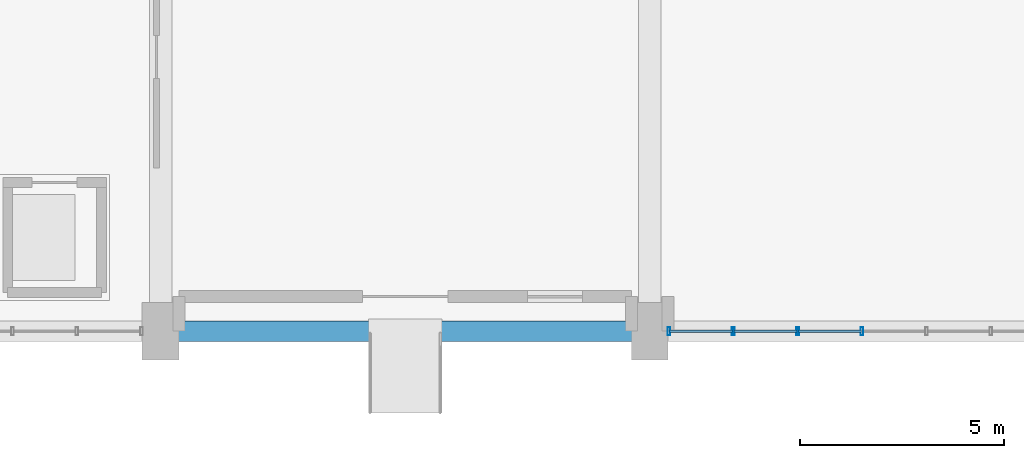
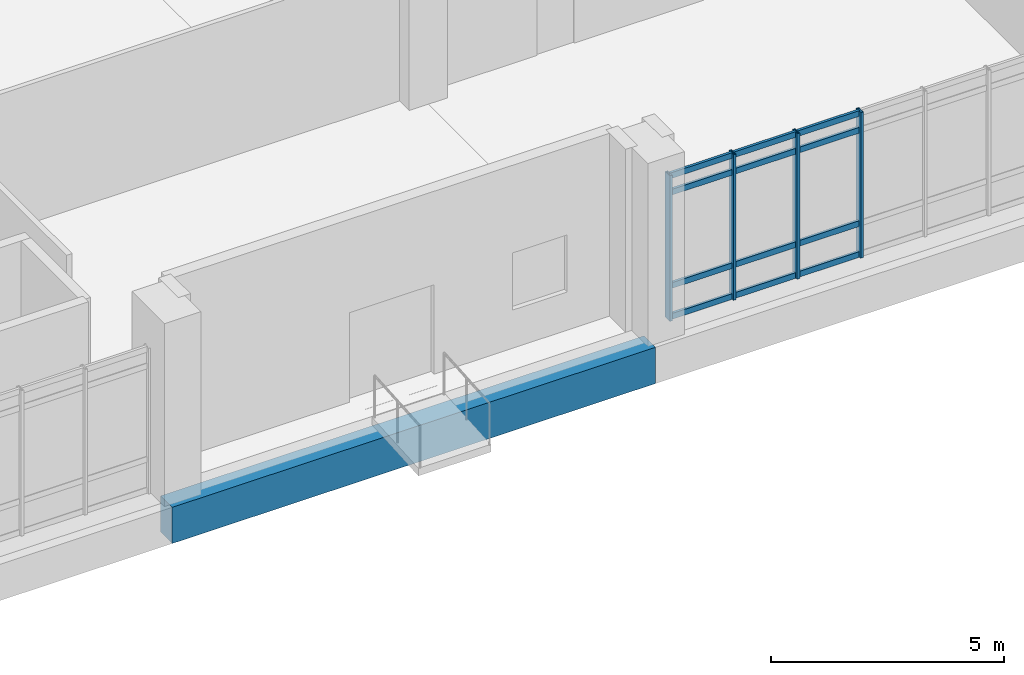
# One storey, part 7 of 87: 16 members, 1 beam, 1 element without a shape of its own.
"""IFC4 building model written with IfcOpenShell, lengths in metres."""

from ifc_helpers import new_model, si_unit, direction, frame, origin, origin_2d, place, context, subcontext, project, spatial, rectangle, hollow_rectangle, extrude, material, layer, layer_set, material_profile, profile_set, type_object, element, aggregate, save


model = new_model("IFC4")

# Units and contexts
model_context = context("Model", 3, precision=1e-05, world=origin(), true_north=direction((0.0, 1.0)))
body_context = subcontext(model_context, "Body", "Model", "MODEL_VIEW")
ifc_project = project(units=[si_unit("LENGTHUNIT", "METRE"), si_unit("AREAUNIT", "SQUARE_METRE"), si_unit("VOLUMEUNIT", "CUBIC_METRE"), si_unit("PLANEANGLEUNIT", "RADIAN"), si_unit("MASSUNIT", "GRAM", prefix="KILO")], contexts=[model_context])

# Site, building, storey
site_placement = place(None, origin())
site = spatial("IfcSite", under=ifc_project, at=site_placement, CompositionType="ELEMENT")
building_placement = place(site_placement, origin())
building = spatial("IfcBuilding", under=site, at=building_placement, Name="Mersad Railyard Sports Hall", CompositionType="ELEMENT")
storey_placement = place(building_placement, origin())
storey = spatial("IfcBuildingStorey", under=building, at=storey_placement, Name="L00", CompositionType="ELEMENT", Elevation=0.0)

# Curtain wall, members
ifc_material_1 = material(Name="Aluminium 6063-T6", Category="aluminium")
ifc_layer = layer(ifc_material_1, 0.199951171875)
ifc_layer_set = layer_set([ifc_layer], Name="Aluminium 6063-T6")
curtain_wall_type = type_object("IfcCurtainWallType", Name="ARC-CW-CW01", PredefinedType="USERDEFINED", material=ifc_layer_set)
curtain_wall_placement = place(storey_placement, origin())
curtain_wall = element("IfcCurtainWall", 1, at=curtain_wall_placement, inside=storey, type_object=curtain_wall_type, Name="Curtain wall CW01-0007", ObjectType="CURTAIN WALL", PredefinedType="USERDEFINED")
ifc_material_profile_1 = material_profile(ifc_material_1, hollow_rectangle(XDim=0.06494140625, YDim=0.199951171875, WallThickness=0.0048828125, at=origin_2d()), Name="AL MULLION 65x200x5")
ifc_profile_set_1 = profile_set([ifc_material_profile_1], Name="Aluminium 6063-T6")
member_type_1 = type_object("IfcMemberType", Name="ARC-CW-MUL02", PredefinedType="MULLION", material=ifc_profile_set_1)
member_1_placement = place(storey_placement, frame((36.2099609375, 3.5, -0.02001953125), z_axis=(0.0, 0.0, 1.0), x_axis=(1.0, 0.0, 0.0)))
member_1 = element("IfcMember", 2, at=member_1_placement, type_object=member_type_1, Name="CW01 Mullion 5", PredefinedType="MULLION", context=body_context, shape_type="SweptSolid", body=[
    extrude(hollow_rectangle(XDim=0.06494140625, YDim=0.199951171875, WallThickness=0.0048828125, at=origin_2d()), origin(), (0.0, 0.0, 1.0), 3.820068359375),
])
member_2_placement = place(storey_placement, frame((34.6298828125, 3.5, -0.02001953125), z_axis=(0.0, 0.0, 1.0), x_axis=(1.0, 0.0, 0.0)))
member_2 = element("IfcMember", 3, at=member_2_placement, type_object=member_type_1, Name="CW01 Mullion 6", PredefinedType="MULLION", context=body_context, shape_type="SweptSolid", body=[
    extrude(hollow_rectangle(XDim=0.06494140625, YDim=0.199951171875, WallThickness=0.0048828125, at=origin_2d()), origin(), (0.0, 0.0, 1.0), 3.820068359375),
])
member_3_placement = place(storey_placement, frame((33.050048828125, 3.5, -0.02001953125), z_axis=(0.0, 0.0, 1.0), x_axis=(1.0, 0.0, 0.0)))
member_3 = element("IfcMember", 4, at=member_3_placement, type_object=member_type_1, Name="CW01 Mullion 7", PredefinedType="MULLION", context=body_context, shape_type="SweptSolid", body=[
    extrude(hollow_rectangle(XDim=0.06494140625, YDim=0.199951171875, WallThickness=0.0048828125, at=origin_2d()), origin(), (0.0, 0.0, 1.0), 3.820068359375),
])
member_4_placement = place(storey_placement, frame((31.469970703125, 3.5, -0.02001953125), z_axis=(0.0, 0.0, 1.0), x_axis=(1.0, 0.0, 0.0)))
member_4 = element("IfcMember", 5, at=member_4_placement, type_object=member_type_1, Name="CW01 Mullion 8", PredefinedType="MULLION", context=body_context, shape_type="SweptSolid", body=[
    extrude(hollow_rectangle(XDim=0.06494140625, YDim=0.199951171875, WallThickness=0.0048828125, at=origin_2d()), origin(), (0.0, 0.0, 1.0), 3.820068359375),
])
ifc_material_profile_2 = material_profile(ifc_material_1, hollow_rectangle(XDim=0.06494140625, YDim=0.14990234375, WallThickness=0.00439453125, at=origin_2d()), Name="AL TRANSOM 65x150x4.5")
ifc_profile_set_2 = profile_set([ifc_material_profile_2], Name="Aluminium 6063-T6")
member_type_2 = type_object("IfcMemberType", Name="ARC-CW-TRN02", PredefinedType="USERDEFINED", material=ifc_profile_set_2)
member_5_placement = place(storey_placement, frame((36.18994140625, 3.5, 0.0400390625), z_axis=(-1.0, 0.0, 0.0), x_axis=(0.0, -1.0, 0.0)))
member_5 = element("IfcMember", 6, at=member_5_placement, type_object=member_type_2, Name="CW01 Transom 1-5", ObjectType="TRANSOM", PredefinedType="USERDEFINED", context=body_context, shape_type="SweptSolid", body=[
    extrude(hollow_rectangle(XDim=0.06494140625, YDim=0.14990234375, WallThickness=0.00439453125, at=origin_2d()), origin(), (0.0, 0.0, 1.0), 1.5400390625),
])
member_6_placement = place(storey_placement, frame((34.610107421875, 3.5, 0.0400390625), z_axis=(-1.0, 0.0, 0.0), x_axis=(0.0, -1.0, 0.0)))
member_6 = element("IfcMember", 7, at=member_6_placement, type_object=member_type_2, Name="CW01 Transom 1-6", ObjectType="TRANSOM", PredefinedType="USERDEFINED", context=body_context, shape_type="SweptSolid", body=[
    extrude(hollow_rectangle(XDim=0.06494140625, YDim=0.14990234375, WallThickness=0.00439453125, at=origin_2d()), origin(), (0.0, 0.0, 1.0), 1.5400390625),
])
member_7_placement = place(storey_placement, frame((33.030029296875, 3.5, 0.0400390625), z_axis=(-1.0, 0.0, 0.0), x_axis=(0.0, -1.0, 0.0)))
member_7 = element("IfcMember", 8, at=member_7_placement, type_object=member_type_2, Name="CW01 Transom 1-7", ObjectType="TRANSOM", PredefinedType="USERDEFINED", context=body_context, shape_type="SweptSolid", body=[
    extrude(hollow_rectangle(XDim=0.06494140625, YDim=0.14990234375, WallThickness=0.00439453125, at=origin_2d()), origin(), (0.0, 0.0, 1.0), 1.5400390625),
])
member_8_placement = place(storey_placement, frame((36.18994140625, 3.5, 0.85009765625), z_axis=(-1.0, 0.0, 0.0), x_axis=(0.0, -1.0, 0.0)))
member_8 = element("IfcMember", 9, at=member_8_placement, type_object=member_type_2, Name="CW01 Transom 2-5", ObjectType="TRANSOM", PredefinedType="USERDEFINED", context=body_context, shape_type="SweptSolid", body=[
    extrude(hollow_rectangle(XDim=0.06494140625, YDim=0.14990234375, WallThickness=0.00439453125, at=origin_2d()), origin(), (0.0, 0.0, 1.0), 1.5400390625),
])
member_9_placement = place(storey_placement, frame((34.610107421875, 3.5, 0.85009765625), z_axis=(-1.0, 0.0, 0.0), x_axis=(0.0, -1.0, 0.0)))
member_9 = element("IfcMember", 10, at=member_9_placement, type_object=member_type_2, Name="CW01 Transom 2-6", ObjectType="TRANSOM", PredefinedType="USERDEFINED", context=body_context, shape_type="SweptSolid", body=[
    extrude(hollow_rectangle(XDim=0.06494140625, YDim=0.14990234375, WallThickness=0.00439453125, at=origin_2d()), origin(), (0.0, 0.0, 1.0), 1.5400390625),
])
member_10_placement = place(storey_placement, frame((33.030029296875, 3.5, 0.85009765625), z_axis=(-1.0, 0.0, 0.0), x_axis=(0.0, -1.0, 0.0)))
member_10 = element("IfcMember", 11, at=member_10_placement, type_object=member_type_2, Name="CW01 Transom 2-7", ObjectType="TRANSOM", PredefinedType="USERDEFINED", context=body_context, shape_type="SweptSolid", body=[
    extrude(hollow_rectangle(XDim=0.06494140625, YDim=0.14990234375, WallThickness=0.00439453125, at=origin_2d()), origin(), (0.0, 0.0, 1.0), 1.5400390625),
])
member_11_placement = place(storey_placement, frame((36.18994140625, 3.5, 3.300048828125), z_axis=(-1.0, 0.0, 0.0), x_axis=(0.0, -1.0, 0.0)))
member_11 = element("IfcMember", 12, at=member_11_placement, type_object=member_type_2, Name="CW01 Transom 3-5", ObjectType="TRANSOM", PredefinedType="USERDEFINED", context=body_context, shape_type="SweptSolid", body=[
    extrude(hollow_rectangle(XDim=0.06494140625, YDim=0.14990234375, WallThickness=0.00439453125, at=origin_2d()), origin(), (0.0, 0.0, 1.0), 1.5400390625),
])
member_12_placement = place(storey_placement, frame((34.610107421875, 3.5, 3.300048828125), z_axis=(-1.0, 0.0, 0.0), x_axis=(0.0, -1.0, 0.0)))
member_12 = element("IfcMember", 13, at=member_12_placement, type_object=member_type_2, Name="CW01 Transom 3-6", ObjectType="TRANSOM", PredefinedType="USERDEFINED", context=body_context, shape_type="SweptSolid", body=[
    extrude(hollow_rectangle(XDim=0.06494140625, YDim=0.14990234375, WallThickness=0.00439453125, at=origin_2d()), origin(), (0.0, 0.0, 1.0), 1.5400390625),
])
member_13_placement = place(storey_placement, frame((33.030029296875, 3.5, 3.300048828125), z_axis=(-1.0, 0.0, 0.0), x_axis=(0.0, -1.0, 0.0)))
member_13 = element("IfcMember", 14, at=member_13_placement, type_object=member_type_2, Name="CW01 Transom 3-7", ObjectType="TRANSOM", PredefinedType="USERDEFINED", context=body_context, shape_type="SweptSolid", body=[
    extrude(hollow_rectangle(XDim=0.06494140625, YDim=0.14990234375, WallThickness=0.00439453125, at=origin_2d()), origin(), (0.0, 0.0, 1.0), 1.5400390625),
])
member_14_placement = place(storey_placement, frame((36.18994140625, 3.5, 3.739990234375), z_axis=(-1.0, 0.0, 0.0), x_axis=(0.0, -1.0, 0.0)))
member_14 = element("IfcMember", 15, at=member_14_placement, type_object=member_type_2, Name="CW01 Transom 4-5", ObjectType="TRANSOM", PredefinedType="USERDEFINED", context=body_context, shape_type="SweptSolid", body=[
    extrude(hollow_rectangle(XDim=0.06494140625, YDim=0.14990234375, WallThickness=0.00439453125, at=origin_2d()), origin(), (0.0, 0.0, 1.0), 1.5400390625),
])
member_15_placement = place(storey_placement, frame((34.610107421875, 3.5, 3.739990234375), z_axis=(-1.0, 0.0, 0.0), x_axis=(0.0, -1.0, 0.0)))
member_15 = element("IfcMember", 16, at=member_15_placement, type_object=member_type_2, Name="CW01 Transom 4-6", ObjectType="TRANSOM", PredefinedType="USERDEFINED", context=body_context, shape_type="SweptSolid", body=[
    extrude(hollow_rectangle(XDim=0.06494140625, YDim=0.14990234375, WallThickness=0.00439453125, at=origin_2d()), origin(), (0.0, 0.0, 1.0), 1.5400390625),
])
member_16_placement = place(storey_placement, frame((33.030029296875, 3.5, 3.739990234375), z_axis=(-1.0, 0.0, 0.0), x_axis=(0.0, -1.0, 0.0)))
member_16 = element("IfcMember", 17, at=member_16_placement, type_object=member_type_2, Name="CW01 Transom 4-7", ObjectType="TRANSOM", PredefinedType="USERDEFINED", context=body_context, shape_type="SweptSolid", body=[
    extrude(hollow_rectangle(XDim=0.06494140625, YDim=0.14990234375, WallThickness=0.00439453125, at=origin_2d()), origin(), (0.0, 0.0, 1.0), 1.5400390625),
])
aggregate(curtain_wall, [member_1, member_2, member_3, member_4, member_5, member_6, member_7, member_8, member_9, member_10, member_11, member_12, member_13, member_14, member_15, member_16])

# Beam
ifc_material_2 = material(Name="Concrete C50/60", Category="concrete")
ifc_material_profile_3 = material_profile(ifc_material_2, rectangle(XDim=0.5, YDim=0.949951171875, at=origin_2d()), Name="RC 500x950")
ifc_profile_set_3 = profile_set([ifc_material_profile_3], Name="Concrete C50/60")
beam_type = type_object("IfcBeamType", Name="STR-BM-B03", PredefinedType="BEAM", material=ifc_profile_set_3)
beam_placement = place(storey_placement, frame((19.0, 3.5, -0.925048828125), z_axis=(1.0, 0.0, 0.0), x_axis=(0.0, 1.0, 0.0)))
element("IfcBeam", 18, at=beam_placement, inside=storey, type_object=beam_type, Name="Beam B03-0002", PredefinedType="BEAM", context=body_context, shape_type="SweptSolid", body=[
    extrude(rectangle(XDim=0.5, YDim=0.949951171875, at=origin_2d()), origin(), (0.0, 0.0, 1.0), 12.0),
])

save(model, "model.ifc")
